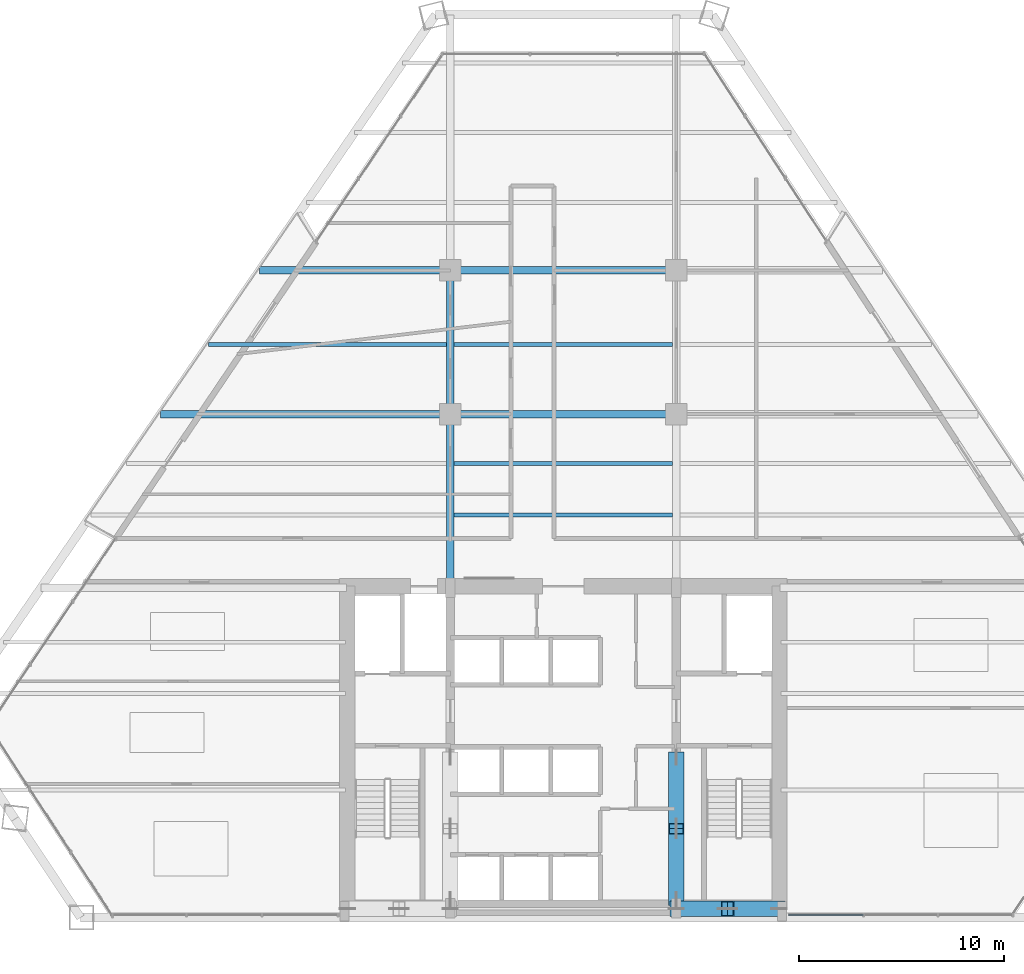
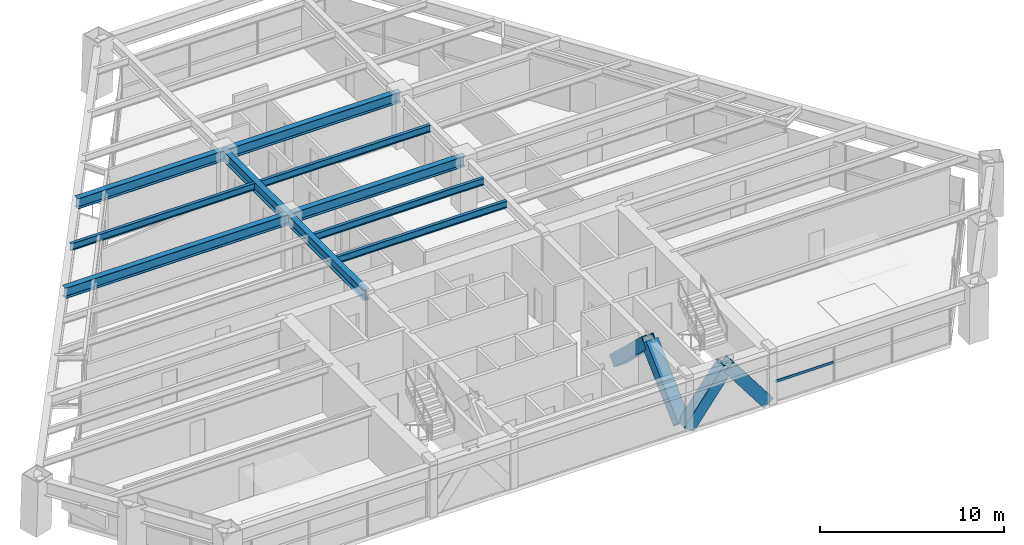
# One storey, part 5 of 14: 10 beams, 5 members, 1 element without a shape of its own.
"""IFC4 building model written with IfcOpenShell, lengths in metres."""

import ifcopenshell
import ifcopenshell.guid

model = None  # the IFC model being written
_history = None  # IfcOwnerHistory: only IFC2X3 demands one
_inside = {}  # id of a spatial element -> (the spatial element, [elements in it])
_under = {}  # id of a project, library or spatial element -> (it, [spatial elements below it])
_declared = {}  # id of a project -> (the project, [libraries it declares])
_typed = {}  # id of a type object -> (the type object, [elements of that type])
_made_of = {}  # id of a material, layer set ... -> (it, [elements and type objects made of it])


def new_model(schema):
    """Start an empty IFC model of exactly this schema.

    Asked for "IFC4X3", IfcOpenShell would pick the latest addendum, in which some entities
    have other attributes; the version numbers below select the first issue.
    IFC2X3 requires an IfcOwnerHistory on every rooted entity: one is made here for all.
    """
    global model, _history
    if schema == "IFC4X3":
        model = ifcopenshell.file(schema_version=(4, 3, 0, 0))
    else:
        model = ifcopenshell.file(schema=schema)
    _inside.clear()
    _under.clear()
    _declared.clear()
    _typed.clear()
    _made_of.clear()
    _history = None
    if model.schema == "IFC2X3":
        org = make("IfcOrganization", Name="unknown")
        user = make(
            "IfcPersonAndOrganization",
            ThePerson=make("IfcPerson", FamilyName="unknown"),
            TheOrganization=org,
        )
        app = make(
            "IfcApplication",
            ApplicationDeveloper=org,
            Version="unknown",
            ApplicationFullName="unknown",
            ApplicationIdentifier="unknown",
        )
        _history = make(
            "IfcOwnerHistory",
            OwningUser=user,
            OwningApplication=app,
            ChangeAction="ADDED",
            CreationDate=0,
        )
    return model


def make(cls, **values):
    """One entity of the class cls with the attributes given. An attribute that is None is left unset."""
    return model.create_entity(
        cls, **{name: value for name, value in values.items() if value is not None}
    )


def rooted(cls, **values):
    """An entity with a GlobalId (a new one), such as an element, a storey or a relation."""
    return make(cls, GlobalId=ifcopenshell.guid.new(), OwnerHistory=_history, **values)


def si_unit(unit_type, name, prefix=None):
    """IfcSIUnit, for example si_unit("LENGTHUNIT", "METRE", prefix="MILLI")."""
    return make("IfcSIUnit", UnitType=unit_type, Prefix=prefix, Name=name)


def assignment(units):
    """IfcUnitAssignment: the units of a project."""
    return None if units is None else make("IfcUnitAssignment", Units=units)


def point(xyz):
    """IfcCartesianPoint."""
    return None if xyz is None else make("IfcCartesianPoint", Coordinates=xyz)


def direction(xyz):
    """IfcDirection."""
    return None if xyz is None else make("IfcDirection", DirectionRatios=xyz)


def frame(location, z_axis=None, x_axis=None):
    """IfcAxis2Placement3D, a coordinate frame: its origin and axes. An axis left out is left unset."""
    return make(
        "IfcAxis2Placement3D",
        Location=point(location),
        Axis=direction(z_axis),
        RefDirection=direction(x_axis),
    )


def frame_2d(location, x_axis=None):
    """IfcAxis2Placement2D, a coordinate frame in the plane: its origin and x axis."""
    return make(
        "IfcAxis2Placement2D", Location=point(location), RefDirection=direction(x_axis)
    )


def origin():
    """The frame at (0, 0, 0) with its axes left unset."""
    return frame((0.0, 0.0, 0.0))


def origin_2d():
    """The frame at (0, 0) in the plane with its x axis left unset."""
    return frame_2d((0.0, 0.0))


def place(relative_to, where):
    """IfcLocalPlacement: puts the frame where relative to a parent placement (None: the world)."""
    return make(
        "IfcLocalPlacement", PlacementRelTo=relative_to, RelativePlacement=where
    )


def context(
    kind, dimensions, precision=None, world=None, true_north=None, identifier=None
):
    """IfcGeometricRepresentationContext, for example the 3D "Model" context."""
    return make(
        "IfcGeometricRepresentationContext",
        ContextIdentifier=identifier,
        ContextType=kind,
        CoordinateSpaceDimension=dimensions,
        Precision=precision,
        WorldCoordinateSystem=world,
        TrueNorth=true_north,
    )


def subcontext(parent, identifier, kind, view, scale=None):
    """IfcGeometricRepresentationSubContext, for example "Body" below "Model"."""
    return make(
        "IfcGeometricRepresentationSubContext",
        ContextIdentifier=identifier,
        ContextType=kind,
        ParentContext=parent,
        TargetScale=scale,
        TargetView=view,
    )


def project(units=None, contexts=None):
    """IfcProject with its units and contexts."""
    return rooted(
        "IfcProject",
        Name="project",
        RepresentationContexts=contexts,
        UnitsInContext=assignment(units),
    )


def spatial(cls, under=None, at=None, **own):
    """A site, building, storey or space (cls), placed at a placement, below another one or the project."""
    s = rooted(cls, ObjectPlacement=at, **own)
    if under is not None:
        _under.setdefault(under.id(), (under, []))[1].append(s)
    return s


def profile(cls, at=None, kind="AREA", **sizes):
    """A parametric profile (cls). Its sizes go by their IFC names, for example OverallWidth=200.0."""
    return make(cls, ProfileType=kind, Position=at, **sizes)


def rectangle(**sizes):
    """IfcRectangleProfileDef."""
    return profile("IfcRectangleProfileDef", **sizes)


def hollow_rectangle(**sizes):
    """IfcRectangleHollowProfileDef."""
    return profile("IfcRectangleHollowProfileDef", **sizes)


def i_section(**sizes):
    """IfcIShapeProfileDef."""
    return profile("IfcIShapeProfileDef", **sizes)


def extrude(swept, where, along, depth):
    """IfcExtrudedAreaSolid: the profile swept, set in the frame where, extruded along a direction by depth."""
    return make(
        "IfcExtrudedAreaSolid",
        SweptArea=swept,
        Position=where,
        ExtrudedDirection=direction(along),
        Depth=depth,
    )


def shape(context_of_items, identifier, shape_type, items):
    """IfcShapeRepresentation: the items that make up one representation, for example the "Body"."""
    return make(
        "IfcShapeRepresentation",
        ContextOfItems=context_of_items,
        RepresentationIdentifier=identifier,
        RepresentationType=shape_type,
        Items=items,
    )


def source(mapping_origin, context_of_items, identifier, shape_type, items):
    """IfcRepresentationMap: a shape defined once, which mapped items show again and again."""
    return make(
        "IfcRepresentationMap",
        MappingOrigin=mapping_origin,
        MappedRepresentation=shape(context_of_items, identifier, shape_type, items),
    )


def transform(
    local_origin,
    x_axis=None,
    y_axis=None,
    z_axis=None,
    scale=None,
    scale2=None,
    scale3=None,
    uniform=True,
):
    """IfcCartesianTransformationOperator3D, or its non-uniform kind. x_axis, y_axis, z_axis: its Axis1, 2, 3."""
    if uniform:
        return make(
            "IfcCartesianTransformationOperator3D",
            Axis1=direction(x_axis),
            Axis2=direction(y_axis),
            LocalOrigin=point(local_origin),
            Scale=scale,
            Axis3=direction(z_axis),
        )
    return make(
        "IfcCartesianTransformationOperator3DnonUniform",
        Axis1=direction(x_axis),
        Axis2=direction(y_axis),
        LocalOrigin=point(local_origin),
        Scale=scale,
        Axis3=direction(z_axis),
        Scale2=scale2,
        Scale3=scale3,
    )


def mapped(mapping_source, mapping_target):
    """IfcMappedItem: shows the shape of a source again, moved by a transform."""
    return make(
        "IfcMappedItem", MappingSource=mapping_source, MappingTarget=mapping_target
    )


def material(Name=None, Category=None):
    """IfcMaterial."""
    return make("IfcMaterial", Name=Name, Category=Category)


def material_profile(
    of_material, cross_section, Name=None, Category=None, Priority=None
):
    """IfcMaterialProfile: a cross section and its material."""
    return make(
        "IfcMaterialProfile",
        Name=Name,
        Material=of_material,
        Profile=cross_section,
        Priority=Priority,
        Category=Category,
    )


def profile_set(profiles, Name=None, composite=None):
    """IfcMaterialProfileSet."""
    return make(
        "IfcMaterialProfileSet",
        Name=Name,
        MaterialProfiles=profiles,
        CompositeProfile=composite,
    )


def made_of(thing, what):
    """Note that an element or type object is made of a material, layer set ...; save() writes the relation."""
    if what is not None:
        _made_of.setdefault(what.id(), (what, []))[1].append(thing)
    return thing


def type_object(cls, material=None, **own):
    """A type object (cls), such as IfcWallType, which elements share."""
    return made_of(rooted(cls, **own), material)


def type_shapes(of_type, sources):
    """Give a type object the sources (RepresentationMaps) that its elements show as mapped items."""
    of_type.RepresentationMaps = sources


def element(
    cls,
    number,
    at=None,
    inside=None,
    cuts=None,
    type_object=None,
    material=None,
    context=None,
    identifier="Body",
    shape_type=None,
    held_by="IfcProductDefinitionShape",
    body=None,
    shapes=None,
    **own,
):
    """One element of the class cls, such as IfcWall. Its Tag is "e" and its number.

    at: its placement. inside: the storey or other place that contains it. cuts: it is an
    opening in that element (IfcRelVoidsElement). A single representation is given by context,
    identifier, shape_type and body (its items); several are given by shapes. held_by: the class
    of the entity that holds the representations. save() writes the other relations.
    """
    e = rooted(cls, Tag="e%d" % number, ObjectPlacement=at, **own)
    if body is not None:
        shapes = [shape(context, identifier, shape_type, body)]
    if shapes is not None:
        e.Representation = make(held_by, Representations=shapes)
    if inside is not None:
        _inside.setdefault(inside.id(), (inside, []))[1].append(e)
    if cuts is not None:
        rooted(
            "IfcRelVoidsElement", RelatingBuildingElement=cuts, RelatedOpeningElement=e
        )
    if type_object is not None:
        _typed.setdefault(type_object.id(), (type_object, []))[1].append(e)
    return made_of(e, material)


def aggregate(whole, parts):
    """IfcRelAggregates: a whole, such as a stair, and the parts it consists of."""
    return rooted("IfcRelAggregates", RelatingObject=whole, RelatedObjects=parts)


def save(model, path):
    """Write the relations noted so far, then the file.

    IfcRelAggregates (storeys below a building ...), IfcRelContainedInSpatialStructure (elements
    in a storey), IfcRelDefinesByType, IfcRelAssociatesMaterial and IfcRelDeclares: one each for
    every whole, place, type object, material and project.
    """
    for whole, parts in _under.values():
        aggregate(whole, parts)
    for where, things in _inside.values():
        rooted(
            "IfcRelContainedInSpatialStructure",
            RelatedElements=things,
            RelatingStructure=where,
        )
    for kind, things in _typed.values():
        rooted("IfcRelDefinesByType", RelatedObjects=things, RelatingType=kind)
    for what, things in _made_of.values():
        rooted("IfcRelAssociatesMaterial", RelatedObjects=things, RelatingMaterial=what)
    for by, libraries in _declared.values():
        rooted("IfcRelDeclares", RelatingContext=by, RelatedDefinitions=libraries)
    model.write(path)


model = new_model("IFC4")

# Units and contexts
model_context = context("Model", 3, precision=1e-05, world=origin(), true_north=direction((0.0, 1.0)))
body_context = subcontext(model_context, "Body", "Model", "MODEL_VIEW")
ifc_project = project(units=[si_unit("LENGTHUNIT", "METRE"), si_unit("AREAUNIT", "SQUARE_METRE"), si_unit("VOLUMEUNIT", "CUBIC_METRE"), si_unit("PLANEANGLEUNIT", "RADIAN"), si_unit("MASSUNIT", "GRAM", prefix="KILO")], contexts=[model_context])

# Site, building, storey
site_placement = place(None, origin())
site = spatial("IfcSite", under=ifc_project, at=site_placement, CompositionType="ELEMENT")
building_placement = place(site_placement, origin())
building = spatial("IfcBuilding", under=site, at=building_placement, Name="Varnakhor Terracotta Tower", CompositionType="ELEMENT")
storey_placement = place(building_placement, frame((0.0, 0.0, 84.0)))
storey = spatial("IfcBuildingStorey", under=building, at=storey_placement, Name="L20", CompositionType="ELEMENT", Elevation=84.0)

# Beams
ifc_material_1 = material(Name="Steel S355", Category="steel")
ifc_material_profile_1 = material_profile(ifc_material_1, i_section(OverallWidth=0.35498046875, OverallDepth=0.695068359375, WebThickness=0.014892578125, FlangeThickness=0.02490234375, FilletRadius=0.01806640625, at=origin_2d()), Name="W27X146")
ifc_profile_set_1 = profile_set([ifc_material_profile_1], Name="Steel S355")
beam_type_1 = type_object("IfcBeamType", Name="BM-W27X146", PredefinedType="BEAM", material=ifc_profile_set_1)
shared_shape_1 = source(origin(), body_context, "Body", "SweptSolid", [
    extrude(i_section(OverallWidth=0.35498046875, OverallDepth=0.695068359375, WebThickness=0.014892578125, FlangeThickness=0.02490234375, FilletRadius=0.01806640625, at=origin_2d()), origin(), (0.0, 0.0, 1.0), 8.449951171875),
])
type_shapes(beam_type_1, [shared_shape_1])
beam_1_placement = place(storey_placement, frame((-5.5, 16.050048828125, 3.1025390625), z_axis=(0.0, 1.0, 0.0), x_axis=(-1.0, 0.0, 0.0)))
element("IfcBeam", 1, at=beam_1_placement, inside=storey, type_object=beam_type_1, Name="L20 Primary Girder NS1-W", PredefinedType="BEAM", context=body_context, shape_type="MappedRepresentation", body=[
    mapped(shared_shape_1, transform((0.0, 0.0, 0.0), scale=1.0)),
])
shared_shape_2 = source(origin(), body_context, "Body", "SweptSolid", [
    extrude(i_section(OverallWidth=0.35498046875, OverallDepth=0.695068359375, WebThickness=0.014892578125, FlangeThickness=0.02490234375, FilletRadius=0.01806640625, at=origin_2d()), origin(), (0.0, 0.0, 1.0), 7.0),
])
beam_2_placement = place(storey_placement, frame((-5.5, 24.5, 3.1025390625), z_axis=(0.0, 1.0, 0.0), x_axis=(-1.0, 0.0, 0.0)))
element("IfcBeam", 2, at=beam_2_placement, inside=storey, type_object=beam_type_1, Name="L20 Primary Girder NS2-W", PredefinedType="BEAM", context=body_context, shape_type="MappedRepresentation", body=[
    mapped(shared_shape_2, transform((0.0, 0.0, 0.0), scale=1.0)),
])
shared_shape_3 = source(origin(), body_context, "Body", "SweptSolid", [
    extrude(i_section(OverallWidth=0.35498046875, OverallDepth=0.695068359375, WebThickness=0.014892578125, FlangeThickness=0.02490234375, FilletRadius=0.01806640625, at=origin_2d()), origin(), (0.0, 0.0, 1.0), 11.0),
])
for number, where, z_axis, x_axis, name in (
    (3, (-5.5, 24.5, 3.1025390625), (1.0, 0.0, 0.0), (0.0, 1.0, 0.0), "L20 Primary Girder EW2-2"),
    (4, (-5.5, 31.5, 3.1025390625), (1.0, 0.0, 0.0), (0.0, 1.0, 0.0), "L20 Primary Girder EW3-2"),
):
    element("IfcBeam", number, at=place(storey_placement, frame(where, z_axis=z_axis, x_axis=x_axis)), inside=storey, type_object=beam_type_1, Name=name, PredefinedType="BEAM", context=body_context, shape_type="MappedRepresentation", body=[
        mapped(shared_shape_3, transform((0.0, 0.0, 0.0), scale=1.0)),
    ])
ifc_material_profile_2 = material_profile(ifc_material_1, i_section(OverallWidth=0.19189453125, OverallDepth=0.462890625, WebThickness=0.010498046875, FlangeThickness=0.017578125, FilletRadius=0.01806640625, at=origin_2d()), Name="W18X60")
ifc_profile_set_2 = profile_set([ifc_material_profile_2], Name="Steel S355")
beam_type_2 = type_object("IfcBeamType", Name="JST-W18X60", PredefinedType="JOIST", material=ifc_profile_set_2)
shared_shape_4 = source(origin(), body_context, "Body", "SweptSolid", [
    extrude(i_section(OverallWidth=0.19189453125, OverallDepth=0.462890625, WebThickness=0.010498046875, FlangeThickness=0.017578125, FilletRadius=0.01806640625, at=origin_2d()), origin(), (0.0, 0.0, 1.0), 10.65283203125),
])
for number, where, z_axis, x_axis, name in (
    (5, (-5.326416015625, 19.60009765625, 3.218505859375), (1.0, 0.0, 0.0), (0.0, 1.0, 0.0), "L20 Composite Floor Joist 4-2"),
    (6, (-5.326416015625, 22.10009765625, 3.218505859375), (1.0, 0.0, 0.0), (0.0, 1.0, 0.0), "L20 Composite Floor Joist 5-2"),
    (7, (-5.326416015625, 27.89990234375, 3.218505859375), (1.0, 0.0, 0.0), (0.0, 1.0, 0.0), "L20 Composite Floor Joist 6-2"),
):
    element("IfcBeam", number, at=place(storey_placement, frame(where, z_axis=z_axis, x_axis=x_axis)), inside=storey, type_object=beam_type_2, Name=name, PredefinedType="JOIST", context=body_context, shape_type="MappedRepresentation", body=[
        mapped(shared_shape_4, transform((0.0, 0.0, 0.0), scale=1.0)),
    ])

# Members
ifc_material_2 = material(Name="Steel S460", Category="steel")
ifc_material_profile_3 = material_profile(ifc_material_2, hollow_rectangle(XDim=0.75, YDim=0.75, WallThickness=0.044921875, at=origin_2d()), Name="HSS750X750X45")
ifc_profile_set_3 = profile_set([ifc_material_profile_3], Name="Steel S460")
member_type_1 = type_object("IfcMemberType", Name="MBR-MEGA-750", PredefinedType="BRACE", material=ifc_profile_set_3)
shared_shape_5 = source(origin(), body_context, "Body", "SweptSolid", [
    extrude(hollow_rectangle(XDim=0.75, YDim=0.75, WallThickness=0.044921875, at=origin_2d()), origin(), (0.0, 0.0, 1.0), 4.14013671875),
])
type_shapes(member_type_1, [shared_shape_5])
for number, where, z_axis, x_axis, name in (
    (8, (5.5, 0.419921875, 0.0), (0.603852011179, 0.0, 0.797096448741), (0.0, 1.0, 0.0), "L20 Core Coupled Brace CSEA"),
    (9, (10.5, 0.419921875, 0.0), (-0.603852011179, 0.0, 0.797096448741), (0.0, -1.0, 0.0), "L20 Core Coupled Brace CSEB"),
):
    element("IfcMember", number, at=place(storey_placement, frame(where, z_axis=z_axis, x_axis=x_axis)), inside=storey, type_object=member_type_1, Name=name, PredefinedType="BRACE", context=body_context, shape_type="MappedRepresentation", body=[
        mapped(shared_shape_5, transform((0.0, 0.0, 0.0), scale=1.0)),
    ])
shared_shape_6 = source(origin(), body_context, "Body", "SweptSolid", [
    extrude(hollow_rectangle(XDim=0.75, YDim=0.75, WallThickness=0.044921875, at=origin_2d()), origin(), (0.0, 0.0, 1.0), 4.792236328125),
])
for number, where, z_axis, x_axis, name in (
    (10, (5.5, 0.85009765625, 0.0), (0.0, 0.725110085518, 0.688632967466), (-1.0, 0.0, 0.0), "L20 Core Coupled Brace CWEA"),
    (11, (5.5, 7.800048828125, 0.0), (0.0, -0.72513424341, 0.688607529028), (1.0, 0.0, 0.0), "L20 Core Coupled Brace CWEB"),
):
    element("IfcMember", number, at=place(storey_placement, frame(where, z_axis=z_axis, x_axis=x_axis)), inside=storey, type_object=member_type_1, Name=name, PredefinedType="BRACE", context=body_context, shape_type="MappedRepresentation", body=[
        mapped(shared_shape_6, transform((0.0, 0.0, 0.0), scale=1.0)),
    ])

# Beams
shared_shape_7 = source(origin(), body_context, "Body", "SweptSolid", [
    extrude(i_section(OverallWidth=0.35498046875, OverallDepth=0.695068359375, WebThickness=0.014892578125, FlangeThickness=0.02490234375, FilletRadius=0.01806640625, at=origin_2d()), origin(), (0.0, 0.0, 1.0), 14.101318359375),
])
beam_3_placement = place(storey_placement, frame((-19.601318359375, 24.5, 3.1025390625), z_axis=(1.0, 0.0, 0.0), x_axis=(0.0, 1.0, 0.0)))
element("IfcBeam", 12, at=beam_3_placement, inside=storey, type_object=beam_type_1, Name="L20 Primary Girder EW2-1", PredefinedType="BEAM", context=body_context, shape_type="MappedRepresentation", body=[
    mapped(shared_shape_7, transform((0.0, 0.0, 0.0), scale=1.0)),
])
shared_shape_8 = source(origin(), body_context, "Body", "SweptSolid", [
    extrude(i_section(OverallWidth=0.35498046875, OverallDepth=0.695068359375, WebThickness=0.014892578125, FlangeThickness=0.02490234375, FilletRadius=0.01806640625, at=origin_2d()), origin(), (0.0, 0.0, 1.0), 9.280517578125),
])
beam_4_placement = place(storey_placement, frame((-14.780517578125, 31.5, 3.1025390625), z_axis=(1.0, 0.0, 0.0), x_axis=(0.0, 1.0, 0.0)))
element("IfcBeam", 13, at=beam_4_placement, inside=storey, type_object=beam_type_1, Name="L20 Primary Girder EW3-1", PredefinedType="BEAM", context=body_context, shape_type="MappedRepresentation", body=[
    mapped(shared_shape_8, transform((0.0, 0.0, 0.0), scale=1.0)),
])
shared_shape_9 = source(origin(), body_context, "Body", "SweptSolid", [
    extrude(i_section(OverallWidth=0.19189453125, OverallDepth=0.462890625, WebThickness=0.010498046875, FlangeThickness=0.017578125, FilletRadius=0.01806640625, at=origin_2d()), origin(), (0.0, 0.0, 1.0), 11.58642578125),
])
beam_5_placement = place(storey_placement, frame((-17.260009765625, 27.89990234375, 3.218505859375), z_axis=(1.0, 0.0, 0.0), x_axis=(0.0, 1.0, 0.0)))
element("IfcBeam", 14, at=beam_5_placement, inside=storey, type_object=beam_type_2, Name="L20 Composite Floor Joist 6-1", PredefinedType="JOIST", context=body_context, shape_type="MappedRepresentation", body=[
    mapped(shared_shape_9, transform((0.0, 0.0, 0.0), scale=1.0)),
])

# Curtain wall, member
ifc_material_3 = material(Name="Anodised Aluminium Curtain Wall System", Category="aluminium")
curtain_wall_type = type_object("IfcCurtainWallType", Name="CW-SYS-LOW-OFFICE", PredefinedType="NOTDEFINED", material=ifc_material_3)
curtain_wall_placement = place(storey_placement, origin())
curtain_wall = element("IfcCurtainWall", 15, at=curtain_wall_placement, inside=storey, type_object=curtain_wall_type, Name="L20 South Wing Curtain Wall SSE", PredefinedType="NOTDEFINED")
ifc_material_4 = material(Name="Anodised Aluminium 6063-T6", Category="aluminium")
ifc_material_profile_4 = material_profile(ifc_material_4, rectangle(XDim=0.074951171875, YDim=0.1650390625, at=origin_2d()), Name="ALU TRANSOM 75x165")
ifc_profile_set_4 = profile_set([ifc_material_profile_4], Name="Anodised Aluminium 6063-T6")
member_type_2 = type_object("IfcMemberType", Name="CWT-02", PredefinedType="USERDEFINED", material=ifc_profile_set_4)
shared_shape_10 = source(origin(), body_context, "Body", "SweptSolid", [
    extrude(rectangle(XDim=0.074951171875, YDim=0.1650390625, at=origin_2d()), origin(), (0.0, 0.0, 1.0), 3.63916015625),
])
member_placement = place(storey_placement, frame((14.609130859375, 0.1201171875, 1.272705078125), z_axis=(-1.0, 0.0, 0.0), x_axis=(0.0, -1.0, 0.0)))
member = element("IfcMember", 16, at=member_placement, type_object=member_type_2, Name="L20 South Wing Curtain Wall SSE Transom 3", ObjectType="TRANSOM", PredefinedType="USERDEFINED", context=body_context, shape_type="MappedRepresentation", body=[
    mapped(shared_shape_10, transform((0.0, 0.0, 0.0), scale=1.0)),
])
aggregate(curtain_wall, [member])

save(model, "model.ifc")
